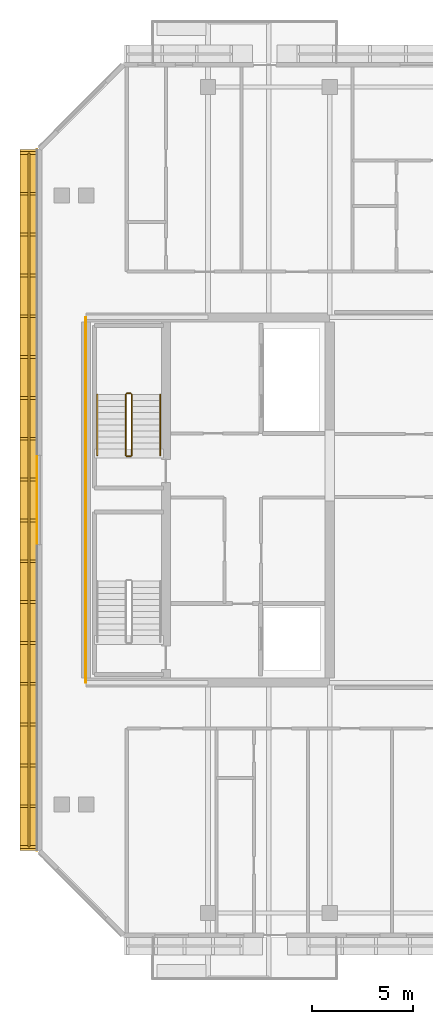
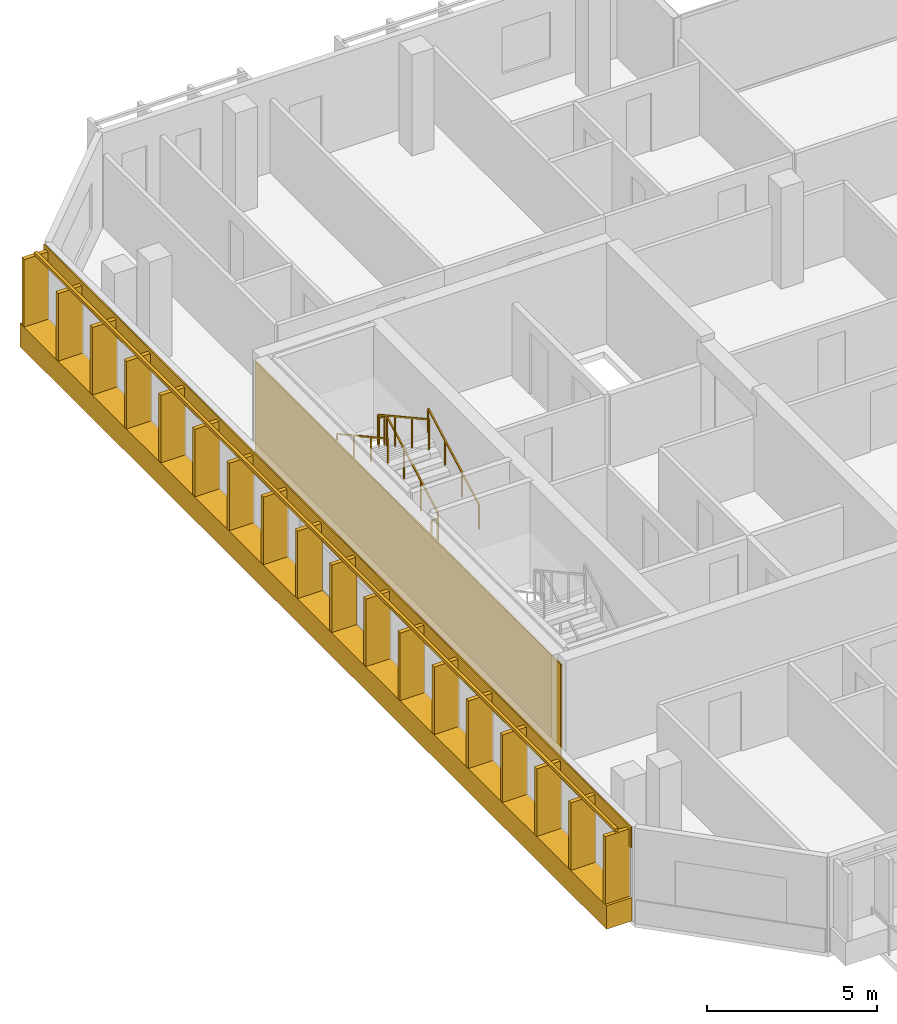
# One storey, part 14 of 17: 7 railings, 3 coverings.
"""IFC4 building model written with IfcOpenShell, lengths in metres."""

from ifc_helpers import new_model, si_unit, direction, frame, origin, origin_2d, place, context, subcontext, project, spatial, rectangle, extrude, material, layer, layer_set, type_object, element, save


model = new_model("IFC4")

# Units and contexts
model_context = context("Model", 3, precision=1e-05, world=origin(), true_north=direction((0.0, 1.0)))
body_context = subcontext(model_context, "Body", "Model", "MODEL_VIEW")
ifc_project = project(units=[si_unit("LENGTHUNIT", "METRE"), si_unit("AREAUNIT", "SQUARE_METRE"), si_unit("VOLUMEUNIT", "CUBIC_METRE"), si_unit("PLANEANGLEUNIT", "RADIAN"), si_unit("MASSUNIT", "GRAM", prefix="KILO")], contexts=[model_context])

# Site, building, storey
site_placement = place(None, origin())
site = spatial("IfcSite", under=ifc_project, at=site_placement, CompositionType="ELEMENT")
building_placement = place(site_placement, origin())
building = spatial("IfcBuilding", under=site, at=building_placement, Name="Tanjung Sevakor Pilgrim Tower", CompositionType="ELEMENT")
storey_placement = place(building_placement, frame((0.0, 0.0, 219.1201171875)))
storey = spatial("IfcBuildingStorey", under=building, at=storey_placement, Name="L61", CompositionType="ELEMENT", Elevation=219.1201171875)

# Coverings
ifc_material_1 = material(Name="Reconstructed Limestone Cladding", Category="masonry")
ifc_layer = layer(ifc_material_1, 0.044921875)
ifc_layer_set = layer_set([ifc_layer], Name="COV-CLAD-LIMESTONE")
covering_type = type_object("IfcCoveringType", Name="COV-CLAD-LIMESTONE", PredefinedType="CLADDING", material=ifc_layer_set)
covering_1_placement = place(storey_placement, frame((21.169921875, 33.60009765625, 0.009765625), z_axis=(0.0, 0.0, 1.0), x_axis=(0.0, -1.0, 0.0)))
element("IfcCovering", 1, at=covering_1_placement, inside=storey, type_object=covering_type, Name="L61 Warm Limestone Sill Spandrel EW-L61-MAIN-15-1", PredefinedType="CLADDING", context=body_context, shape_type="SweptSolid", body=[
    extrude(rectangle(XDim=34.52880859375, YDim=0.860107421875, at=origin_2d()), origin(), (0.0, 0.0, 1.0), 0.840087890625),
])
covering_2_placement = place(storey_placement, frame((21.577392578125, 33.60009765625, 2.65966796875), z_axis=(0.0, 0.0, 1.0), x_axis=(0.0, -1.0, 0.0)))
element("IfcCovering", 2, at=covering_2_placement, inside=storey, type_object=covering_type, Name="L61 Warm Limestone Cornice Spandrel EW-L61-MAIN-15", PredefinedType="CLADDING", context=body_context, shape_type="SweptSolid", body=[
    extrude(rectangle(XDim=34.56884765625, YDim=0.044921875, at=origin_2d()), origin(), (0.0, 0.0, 1.0), 0.739990234375),
])
covering_3_placement = place(storey_placement, frame((23.9775390625, 33.60009765625, 0.019775390625), z_axis=(0.0, 0.0, 1.0), x_axis=(1.0, 0.0, 0.0)))
element("IfcCovering", 3, at=covering_3_placement, inside=storey, type_object=covering_type, Name="L61 Expressed Core Warm Limestone Cladding W", PredefinedType="CLADDING", context=body_context, shape_type="SweptSolid", body=[
    extrude(rectangle(XDim=0.044921875, YDim=18.0, at=origin_2d()), origin(), (0.0, 0.0, 1.0), 3.3701171875),
])

# Railings
ifc_material_2 = material(Name="Anodised Bronze Aluminium 6063-T6", Category="aluminium")
railing_type_1 = type_object("IfcRailingType", Name="RL-FIN-SCREEN", PredefinedType="BALUSTRADE", material=ifc_material_2)
railing_1_placement = place(storey_placement, frame((21.175048828125, 50.704345703125, 0.83984375)))
element("IfcRailing", 4, at=railing_1_placement, inside=storey, type_object=railing_type_1, Name="L61 Vertical Bronze-Gold Solar Fin Screen FNEND-EW-L61-MAIN-15-1", PredefinedType="BALUSTRADE", context=body_context, shape_type="SweptSolid", body=[
    extrude(rectangle(XDim=0.105, YDim=0.105), frame((0.0, 0.0, 2.487548828125), z_axis=(0.0, -1.0, 0.0), x_axis=(1.0, 0.0, 0.0)), (0.0, 0.0, 1.0), 34.208740234375),
    extrude(rectangle(XDim=0.85, YDim=0.14), origin(), (0.0, 0.0, 1.0), 2.43505859375),
    extrude(rectangle(XDim=0.85, YDim=0.14), frame((0.0, -2.01220703125, 0.0)), (0.0, 0.0, 1.0), 2.43505859375),
    extrude(rectangle(XDim=0.85, YDim=0.14), frame((0.0, -4.024658203125, 0.0)), (0.0, 0.0, 1.0), 2.43505859375),
    extrude(rectangle(XDim=0.85, YDim=0.14), frame((0.0, -6.036865234375, 0.0)), (0.0, 0.0, 1.0), 2.43505859375),
    extrude(rectangle(XDim=0.85, YDim=0.14), frame((0.0, -8.049072265625, 0.0)), (0.0, 0.0, 1.0), 2.43505859375),
    extrude(rectangle(XDim=0.85, YDim=0.14), frame((0.0, -10.061279296875, 0.0)), (0.0, 0.0, 1.0), 2.43505859375),
    extrude(rectangle(XDim=0.85, YDim=0.14), frame((0.0, -12.07373046875, 0.0)), (0.0, 0.0, 1.0), 2.43505859375),
    extrude(rectangle(XDim=0.85, YDim=0.14), frame((0.0, -14.0859375, 0.0)), (0.0, 0.0, 1.0), 2.43505859375),
    extrude(rectangle(XDim=0.85, YDim=0.14), frame((0.0, -16.09814453125, 0.0)), (0.0, 0.0, 1.0), 2.43505859375),
    extrude(rectangle(XDim=0.85, YDim=0.14), frame((0.0, -18.110595703125, 0.0)), (0.0, 0.0, 1.0), 2.43505859375),
    extrude(rectangle(XDim=0.85, YDim=0.14), frame((0.0, -20.122802734375, 0.0)), (0.0, 0.0, 1.0), 2.43505859375),
    extrude(rectangle(XDim=0.85, YDim=0.14), frame((0.0, -22.135009765625, 0.0)), (0.0, 0.0, 1.0), 2.43505859375),
    extrude(rectangle(XDim=0.85, YDim=0.14), frame((0.0, -24.1474609375, 0.0)), (0.0, 0.0, 1.0), 2.43505859375),
    extrude(rectangle(XDim=0.85, YDim=0.14), frame((0.0, -26.15966796875, 0.0)), (0.0, 0.0, 1.0), 2.43505859375),
    extrude(rectangle(XDim=0.85, YDim=0.14), frame((0.0, -28.171875, 0.0)), (0.0, 0.0, 1.0), 2.43505859375),
    extrude(rectangle(XDim=0.85, YDim=0.14), frame((0.0, -30.18408203125, 0.0)), (0.0, 0.0, 1.0), 2.43505859375),
    extrude(rectangle(XDim=0.85, YDim=0.14), frame((0.0, -32.196533203125, 0.0)), (0.0, 0.0, 1.0), 2.43505859375),
    extrude(rectangle(XDim=0.85, YDim=0.14), frame((0.0, -34.208740234375, 0.0)), (0.0, 0.0, 1.0), 2.43505859375),
])
ifc_material_3 = material(Name="Steel S355J2", Category="steel")
railing_type_2 = type_object("IfcRailingType", Name="RL-STAIR-GUARD", PredefinedType="GUARDRAIL", material=ifc_material_3)
railing_2_placement = place(storey_placement, frame((26.25, 35.800048828125, 0.164794921875)))
element("IfcRailing", 5, at=railing_2_placement, inside=storey, type_object=railing_type_2, Name="L61 TS-W2 stair guard 1", PredefinedType="GUARDRAIL", context=body_context, shape_type="SweptSolid", body=[
    extrude(rectangle(XDim=0.0479, YDim=0.0479), frame((0.0, 0.0, 1.076171875), z_axis=(0.0, 0.876197842262, 0.481951596342), x_axis=(-1.0, 0.0, 0.0)), (0.0, 0.0, 1.0), 3.423828125),
    extrude(rectangle(XDim=0.042, YDim=0.042), origin(), (0.0, 0.0, 1.0), 1.052001953125),
    extrude(rectangle(XDim=0.042, YDim=0.042), frame((0.0, 1.0, 0.550048828125)), (0.0, 0.0, 1.0), 1.052001953125),
    extrude(rectangle(XDim=0.042, YDim=0.042), frame((0.0, 2.0, 1.10009765625)), (0.0, 0.0, 1.0), 1.052001953125),
    extrude(rectangle(XDim=0.042, YDim=0.042), frame((0.0, 3.0, 1.650146484375)), (0.0, 0.0, 1.0), 1.052001953125),
])
railing_3_placement = place(storey_placement, frame((26.199951171875, 38.85009765625, 1.81494140625)))
element("IfcRailing", 6, at=railing_3_placement, inside=storey, type_object=railing_type_2, Name="L61 TS-W2 stair guard 2", PredefinedType="GUARDRAIL", context=body_context, shape_type="SweptSolid", body=[
    extrude(rectangle(XDim=0.0479, YDim=0.0479), frame((0.0, 0.0, 1.076171875), z_axis=(-1.0, 0.0, 0.0), x_axis=(0.0, -1.0, 0.0)), (0.0, 0.0, 1.0), 0.199951171875),
    extrude(rectangle(XDim=0.042, YDim=0.042), origin(), (0.0, 0.0, 1.0), 1.052001953125),
    extrude(rectangle(XDim=0.042, YDim=0.042), frame((-0.199951171875, 0.0, 0.0)), (0.0, 0.0, 1.0), 1.052001953125),
])
railing_4_placement = place(storey_placement, frame((25.949951171875, 38.800048828125, 1.97998046875)))
element("IfcRailing", 7, at=railing_4_placement, inside=storey, type_object=railing_type_2, Name="L61 TS-W2 stair guard 3", PredefinedType="GUARDRAIL", context=body_context, shape_type="SweptSolid", body=[
    extrude(rectangle(XDim=0.0479, YDim=0.0479), frame((0.0, 0.0, 1.076171875), z_axis=(0.0, -0.876227952683, 0.48189685093), x_axis=(1.0, 0.0, 0.0)), (0.0, 0.0, 1.0), 3.423828125),
    extrude(rectangle(XDim=0.042, YDim=0.042), origin(), (0.0, 0.0, 1.0), 1.052001953125),
    extrude(rectangle(XDim=0.042, YDim=0.042), frame((0.0, -1.0, 0.550048828125)), (0.0, 0.0, 1.0), 1.052001953125),
    extrude(rectangle(XDim=0.042, YDim=0.042), frame((0.0, -2.0, 1.099853515625)), (0.0, 0.0, 1.0), 1.052001953125),
    extrude(rectangle(XDim=0.042, YDim=0.042), frame((0.0, -3.0, 1.64990234375)), (0.0, 0.0, 1.0), 1.052001953125),
])
railing_5_placement = place(storey_placement, frame((26.199951171875, 35.75, 0.0)))
element("IfcRailing", 8, at=railing_5_placement, inside=storey, type_object=railing_type_2, Name="L61 TS-W2 stair guard 4", PredefinedType="GUARDRAIL", context=body_context, shape_type="SweptSolid", body=[
    extrude(rectangle(XDim=0.0479, YDim=0.0479), frame((0.0, 0.0, 1.076171875), z_axis=(-1.0, 0.0, 0.0), x_axis=(0.0, -1.0, 0.0)), (0.0, 0.0, 1.0), 0.199951171875),
    extrude(rectangle(XDim=0.042, YDim=0.042), origin(), (0.0, 0.0, 1.0), 1.052001953125),
    extrude(rectangle(XDim=0.042, YDim=0.042), frame((-0.199951171875, 0.0, 0.0)), (0.0, 0.0, 1.0), 1.052001953125),
])
ifc_material_4 = material(Name="Steel S355J2", Category="steel")
railing_type_3 = type_object("IfcRailingType", Name="RL-STAIR-HAND", PredefinedType="HANDRAIL", material=ifc_material_4)
railing_6_placement = place(storey_placement, frame((27.64990234375, 35.800048828125, 0.164794921875)))
element("IfcRailing", 9, at=railing_6_placement, inside=storey, type_object=railing_type_3, Name="L61 TS-W2 stair handrail 1", PredefinedType="HANDRAIL", context=body_context, shape_type="SweptSolid", body=[
    extrude(rectangle(XDim=0.0479, YDim=0.0479), frame((0.0, 0.0, 0.8759765625), z_axis=(0.0, 0.876197842262, 0.481951596342), x_axis=(-1.0, 0.0, 0.0)), (0.0, 0.0, 1.0), 3.423828125),
    extrude(rectangle(XDim=0.042, YDim=0.042), origin(), (0.0, 0.0, 1.0), 0.851806640625),
    extrude(rectangle(XDim=0.042, YDim=0.042), frame((0.0, 1.0, 0.550048828125)), (0.0, 0.0, 1.0), 0.851806640625),
    extrude(rectangle(XDim=0.042, YDim=0.042), frame((0.0, 2.0, 1.10009765625)), (0.0, 0.0, 1.0), 0.851806640625),
    extrude(rectangle(XDim=0.042, YDim=0.042), frame((0.0, 3.0, 1.650146484375)), (0.0, 0.0, 1.0), 0.851806640625),
])
railing_7_placement = place(storey_placement, frame((24.550048828125, 38.800048828125, 1.97998046875)))
element("IfcRailing", 10, at=railing_7_placement, inside=storey, type_object=railing_type_3, Name="L61 TS-W2 stair handrail 2", PredefinedType="HANDRAIL", context=body_context, shape_type="SweptSolid", body=[
    extrude(rectangle(XDim=0.0479, YDim=0.0479), frame((0.0, 0.0, 0.8759765625), z_axis=(0.0, -0.876227952683, 0.48189685093), x_axis=(1.0, 0.0, 0.0)), (0.0, 0.0, 1.0), 3.423828125),
    extrude(rectangle(XDim=0.042, YDim=0.042), origin(), (0.0, 0.0, 1.0), 0.851806640625),
    extrude(rectangle(XDim=0.042, YDim=0.042), frame((0.0, -1.0, 0.550048828125)), (0.0, 0.0, 1.0), 0.851806640625),
    extrude(rectangle(XDim=0.042, YDim=0.042), frame((0.0, -2.0, 1.099853515625)), (0.0, 0.0, 1.0), 0.851806640625),
    extrude(rectangle(XDim=0.042, YDim=0.042), frame((0.0, -3.0, 1.64990234375)), (0.0, 0.0, 1.0), 0.851806640625),
])

save(model, "model.ifc")
